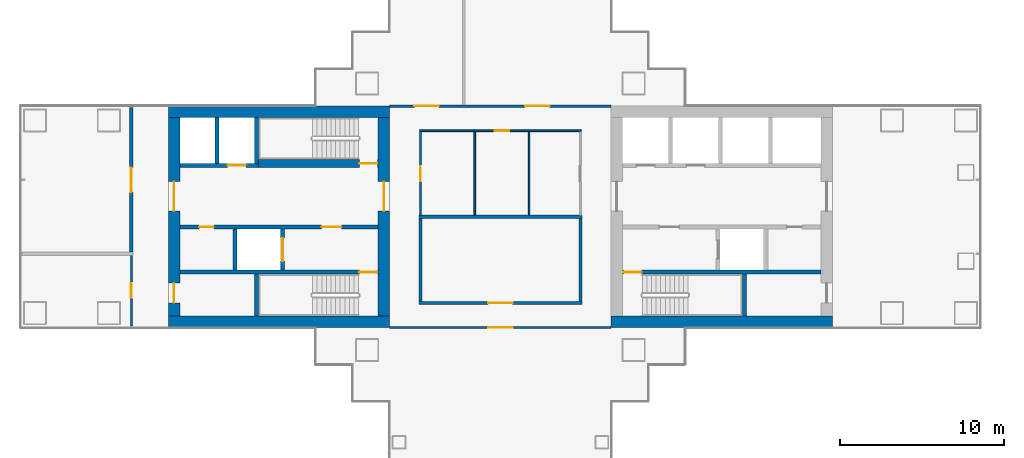
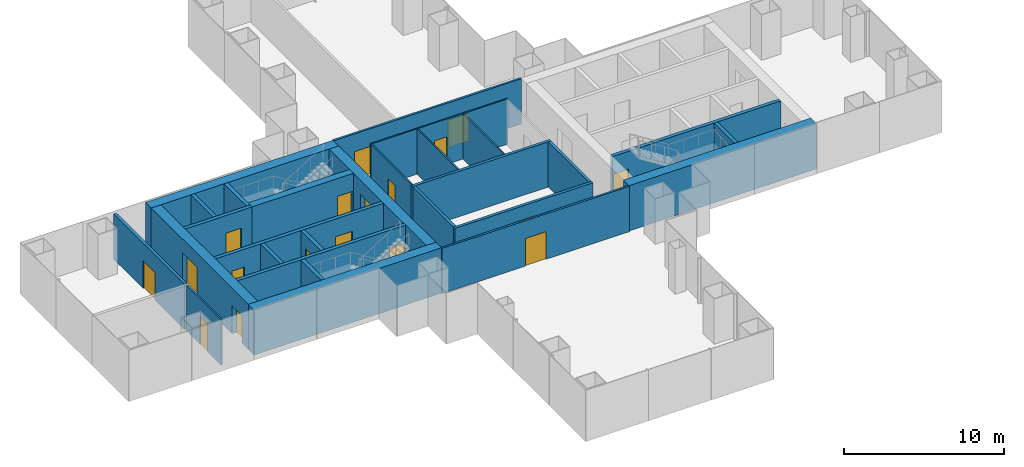
# One storey, part 14 of 22: 28 walls, 18 doors, 18 openings.
"""IFC4 building model written with IfcOpenShell, lengths in metres."""

from ifc_helpers import new_model, si_unit, direction, frame, frame_2d, origin, place, context, subcontext, project, spatial, rectangle, extrude, material, layer, layer_set, type_object, element, fill, save


model = new_model("IFC4")

# Units and contexts
model_context = context("Model", 3, precision=1e-05, world=origin(), true_north=direction((0.0, 1.0)))
body_context = subcontext(model_context, "Body", "Model", "MODEL_VIEW")
ifc_project = project(units=[si_unit("LENGTHUNIT", "METRE"), si_unit("AREAUNIT", "SQUARE_METRE"), si_unit("VOLUMEUNIT", "CUBIC_METRE"), si_unit("PLANEANGLEUNIT", "RADIAN"), si_unit("MASSUNIT", "GRAM", prefix="KILO")], contexts=[model_context])

# Site, building, storey
site_placement = place(None, origin())
site = spatial("IfcSite", under=ifc_project, at=site_placement, CompositionType="ELEMENT")
building_placement = place(site_placement, origin())
building = spatial("IfcBuilding", under=site, at=building_placement, Name="Shamsa Quay Exchange Towers", CompositionType="ELEMENT")
storey_placement = place(building_placement, frame((0.0, 0.0, 73.199951171875)))
storey = spatial("IfcBuildingStorey", under=building, at=storey_placement, Name="L16", CompositionType="ELEMENT", Elevation=73.199951171875)

# Wall, opening, door
ifc_material_1 = material(Name="Double-leaf gypsum board partition with acoustic insulation")
ifc_layer_1 = layer(ifc_material_1, 0.199951171875)
ifc_layer_set_1 = layer_set([ifc_layer_1], Name="Acoustic partition 200 mm EI 60")
wall_type_1 = type_object("IfcWallType", Name="Acoustic partition 200 mm EI 60", PredefinedType="PARTITIONING", material=ifc_layer_set_1)
wall_1_placement = place(storey_placement, frame((-38.72509765625, -5.25, 0.0)))
wall_1 = element("IfcWall", 1, at=wall_1_placement, inside=storey, type_object=wall_type_1, Name="Partition T1-R07-W01", PredefinedType="PARTITIONING", context=body_context, shape_type="SweptSolid", body=[
    extrude(rectangle(XDim=9.9501953125, YDim=0.199951171875, at=frame_2d((4.97509765625, 0.0))), origin(), (0.0, 0.0, 1.0), 3.449951171875),
])
opening_1_placement = place(wall_1_placement, frame((4.22509765625, 0.0, 0.0)))
opening_1 = element("IfcOpeningElement", 2, at=opening_1_placement, cuts=wall_1, Name="Opening T1-R07-D05", PredefinedType="OPENING", context=body_context, shape_type="SweptSolid", body=[
    extrude(rectangle(XDim=1.5, YDim=2.39990234375, at=frame_2d((0.75, 1.199951171875))), frame((0.0, 0.10986328125, 0.0), z_axis=(0.0, -1.0, 0.0), x_axis=(1.0, 0.0, 0.0)), (0.0, 0.0, 1.0), 0.219970703125),
])
ifc_material_2 = material(Name="Timber door leaf in a metal frame", Category="wood")
door_type_1 = type_object("IfcDoorType", Name="Door 1500x2400 FD30S pair", OperationType="NOTDEFINED", PredefinedType="DOOR", material=ifc_material_2)
door_1_placement = place(opening_1_placement, origin())
door_1 = element("IfcDoor", 3, at=door_1_placement, inside=storey, type_object=door_type_1, Name="Door T1-R07-D05", OperationType="DOUBLE_DOOR_SINGLE_SWING", OverallHeight=2.39990234375, OverallWidth=1.5, PredefinedType="DOOR", context=body_context, shape_type="SweptSolid", body=[
    extrude(rectangle(XDim=1.5, YDim=2.39990234375, at=frame_2d((0.75, 1.199951171875))), frame((0.0, 0.02490234375, 0.0), z_axis=(0.0, -1.0, 0.0), x_axis=(1.0, 0.0, 0.0)), (0.0, 0.0, 1.0), 0.050048828125),
])
fill(opening_1, door_1)

# Walls
for number, where, z_axis, x_axis, name in (
    (4, (-28.875, -5.14990234375, 0.0), (0.0, 0.0, 1.0), (0.0, 1.0, 0.0), "Partition T1-R07-W02"),
    (5, (-38.625, -0.10009765625, 0.0), (0.0, 0.0, 1.0), (0.0, -1.0, 0.0), "Partition T1-R07-W03"),
):
    element("IfcWall", number, at=place(storey_placement, frame(where, z_axis=z_axis, x_axis=x_axis)), inside=storey, type_object=wall_type_1, Name=name, PredefinedType="PARTITIONING", context=body_context, shape_type="SweptSolid", body=[
        extrude(rectangle(XDim=5.0498046875, YDim=0.199951171875, at=frame_2d((2.52490234375, 0.0))), origin(), (0.0, 0.0, 1.0), 3.449951171875),
    ])
wall_2_placement = place(storey_placement, frame((-28.77490234375, 0.0, 0.0), z_axis=(0.0, 0.0, 1.0), x_axis=(-1.0, 0.0, 0.0)))
element("IfcWall", 6, at=wall_2_placement, inside=storey, type_object=wall_type_1, Name="Partition T1-R07-W11", PredefinedType="PARTITIONING", context=body_context, shape_type="SweptSolid", body=[
    extrude(rectangle(XDim=9.9501953125, YDim=0.199951171875, at=frame_2d((4.97509765625, 0.0))), origin(), (0.0, 0.0, 1.0), 3.449951171875),
])
ifc_material_3 = material(Name="Concrete C80/95", Category="concrete")
ifc_layer_2 = layer(ifc_material_3, 0.699951171875)
ifc_layer_set_2 = layer_set([ifc_layer_2], Name="CORE WALL 700 C80/95")
wall_type_2 = type_object("IfcWallType", Name="CORE WALL 700 C80/95", PredefinedType="SHEAR", material=ifc_layer_set_2)
wall_3_placement = place(storey_placement, frame((-27.0, -6.39990234375, 0.0)))
element("IfcWall", 7, at=wall_3_placement, inside=storey, type_object=wall_type_2, Name="Core wall T1A-R07-PS", PredefinedType="SHEAR", context=body_context, shape_type="SweptSolid", body=[
    extrude(rectangle(XDim=13.5, YDim=0.699951171875, at=frame_2d((6.75, 0.0))), origin(), (0.0, 0.0, 1.0), 3.449951171875),
])
for number, where, z_axis, x_axis, name in (
    (8, (-40.5, -6.39990234375, 0.0), (0.0, 0.0, 1.0), (-1.0, 0.0, 0.0), "Core wall T1B-R07-PS"),
    (9, (-40.5, 6.39990234375, 0.0), (0.0, 0.0, 1.0), (-1.0, 0.0, 0.0), "Core wall T1B-R07-PN"),
):
    element("IfcWall", number, at=place(storey_placement, frame(where, z_axis=z_axis, x_axis=x_axis)), inside=storey, type_object=wall_type_2, Name=name, PredefinedType="SHEAR", context=body_context, shape_type="SweptSolid", body=[
        extrude(rectangle(XDim=13.5, YDim=0.699951171875, at=frame_2d((6.75, 0.0))), origin(), (0.0, 0.0, 1.0), 3.449951171875),
    ])

# Wall, opening, door
wall_4_placement = place(storey_placement, frame((-40.85009765625, -6.050048828125, 0.0), z_axis=(0.0, 0.0, 1.0), x_axis=(0.0, 1.0, 0.0)))
wall_4 = element("IfcWall", 10, at=wall_4_placement, inside=storey, type_object=wall_type_2, Name="Core wall T1B-R07-PF", PredefinedType="SHEAR", context=body_context, shape_type="SweptSolid", body=[
    extrude(rectangle(XDim=12.10009765625, YDim=0.699951171875, at=frame_2d((6.050048828125, 0.0))), origin(), (0.0, 0.0, 1.0), 3.449951171875),
])
opening_2_placement = place(wall_4_placement, frame((6.39990234375, 0.0, 0.0)))
opening_2 = element("IfcOpeningElement", 11, at=opening_2_placement, cuts=wall_4, Name="Opening T1B-R07-LBD01", PredefinedType="OPENING", context=body_context, shape_type="SweptSolid", body=[
    extrude(rectangle(XDim=1.800048828125, YDim=2.39990234375, at=frame_2d((0.89990234375, 1.199951171875))), frame((0.0, 0.35986328125, 0.0), z_axis=(0.0, -1.0, 0.0), x_axis=(1.0, 0.0, 0.0)), (0.0, 0.0, 1.0), 0.719970703125),
])
ifc_material_4 = material(Name="Steel, fire rated", Category="steel")
door_type_2 = type_object("IfcDoorType", Name="LIFT LOBBY DOOR PAIR 1800", OperationType="DOUBLE_DOOR_SINGLE_SWING", PredefinedType="DOOR", material=ifc_material_4)
door_2_placement = place(opening_2_placement, origin())
door_2 = element("IfcDoor", 12, at=door_2_placement, inside=storey, type_object=door_type_2, Name="T1B-R07-LBD01", OperationType="DOUBLE_DOOR_SINGLE_SWING", OverallHeight=2.39990234375, OverallWidth=1.800048828125, PredefinedType="DOOR", context=body_context, shape_type="SweptSolid", body=[
    extrude(rectangle(XDim=1.800048828125, YDim=2.39990234375, at=frame_2d((0.89990234375, 1.199951171875))), frame((0.0, 0.02490234375, 0.0), z_axis=(0.0, -1.0, 0.0), x_axis=(1.0, 0.0, 0.0)), (0.0, 0.0, 1.0), 0.050048828125),
])
fill(opening_2, door_2)

# Wall, openings, doors
wall_5_placement = place(storey_placement, frame((-53.64990234375, -6.050048828125, 0.0), z_axis=(0.0, 0.0, 1.0), x_axis=(0.0, 1.0, 0.0)))
wall_5 = element("IfcWall", 13, at=wall_5_placement, inside=storey, type_object=wall_type_2, Name="Core wall T1B-R07-PB", PredefinedType="SHEAR", context=body_context, shape_type="SweptSolid", body=[
    extrude(rectangle(XDim=12.10009765625, YDim=0.699951171875, at=frame_2d((6.050048828125, 0.0))), origin(), (0.0, 0.0, 1.0), 3.449951171875),
])
opening_3_placement = place(wall_5_placement, frame((0.800048828125, 0.0, 0.0)))
opening_3 = element("IfcOpeningElement", 14, at=opening_3_placement, cuts=wall_5, Name="Opening T1B-R07-RD02", PredefinedType="OPENING", context=body_context, shape_type="SweptSolid", body=[
    extrude(rectangle(XDim=1.199951171875, YDim=2.10009765625, at=frame_2d((0.60009765625, 1.050048828125))), frame((0.0, 0.35986328125, 0.0), z_axis=(0.0, -1.0, 0.0), x_axis=(1.0, 0.0, 0.0)), (0.0, 0.0, 1.0), 0.719970703125),
])
opening_4_placement = place(wall_5_placement, frame((6.39990234375, 0.0, 0.0)))
opening_4 = element("IfcOpeningElement", 15, at=opening_4_placement, cuts=wall_5, Name="Opening T1B-R07-LBD03", PredefinedType="OPENING", context=body_context, shape_type="SweptSolid", body=[
    extrude(rectangle(XDim=1.800048828125, YDim=2.39990234375, at=frame_2d((0.89990234375, 1.199951171875))), frame((0.0, 0.35986328125, 0.0), z_axis=(0.0, -1.0, 0.0), x_axis=(1.0, 0.0, 0.0)), (0.0, 0.0, 1.0), 0.719970703125),
])
door_3_placement = place(opening_4_placement, origin())
door_3 = element("IfcDoor", 16, at=door_3_placement, inside=storey, type_object=door_type_2, Name="T1B-R07-LBD03", OperationType="DOUBLE_DOOR_SINGLE_SWING", OverallHeight=2.39990234375, OverallWidth=1.800048828125, PredefinedType="DOOR", context=body_context, shape_type="SweptSolid", body=[
    extrude(rectangle(XDim=1.800048828125, YDim=2.39990234375, at=frame_2d((0.89990234375, 1.199951171875))), frame((0.0, 0.02490234375, 0.0), z_axis=(0.0, -1.0, 0.0), x_axis=(1.0, 0.0, 0.0)), (0.0, 0.0, 1.0), 0.050048828125),
])
fill(opening_4, door_3)
door_type_3 = type_object("IfcDoorType", Name="RISER ACCESS DOOR 1200", OperationType="SINGLE_SWING_LEFT", PredefinedType="DOOR", material=ifc_material_4)
door_4_placement = place(opening_3_placement, origin())
door_4 = element("IfcDoor", 17, at=door_4_placement, inside=storey, type_object=door_type_3, Name="T1B-R07-RD02", OperationType="SINGLE_SWING_LEFT", OverallHeight=2.10009765625, OverallWidth=1.199951171875, PredefinedType="DOOR", context=body_context, shape_type="SweptSolid", body=[
    extrude(rectangle(XDim=1.199951171875, YDim=2.10009765625, at=frame_2d((0.60009765625, 1.050048828125))), frame((0.0, 0.02490234375, 0.0), z_axis=(0.0, -1.0, 0.0), x_axis=(1.0, 0.0, 0.0)), (0.0, 0.0, 1.0), 0.050048828125),
])
fill(opening_3, door_4)

# Wall, opening, door
ifc_material_5 = material(Name="Laminated fire-resisting glass in a metal frame", Category="glass")
ifc_layer_3 = layer(ifc_material_5, 0.125)
ifc_layer_set_3 = layer_set([ifc_layer_3], Name="Glazed partition 125 mm EI 60")
wall_type_3 = type_object("IfcWallType", Name="Glazed partition 125 mm EI 60", PredefinedType="PARTITIONING", material=ifc_layer_set_3)
wall_6_placement = place(storey_placement, frame((-56.25, -6.655029296875, 0.0), z_axis=(0.0, 0.0, 1.0), x_axis=(0.0, 1.0, 0.0)))
wall_6 = element("IfcWall", 18, at=wall_6_placement, inside=storey, type_object=wall_type_3, Name="Partition T1-R07-W09", PredefinedType="PARTITIONING", context=body_context, shape_type="SweptSolid", body=[
    extrude(rectangle(XDim=4.304931640625, YDim=0.125, at=frame_2d((2.15234375, 0.0))), origin(), (0.0, 0.0, 1.0), 3.449951171875),
])
opening_5_placement = place(wall_6_placement, frame((1.705078125, 0.0, 0.0)))
opening_5 = element("IfcOpeningElement", 19, at=opening_5_placement, cuts=wall_6, Name="Opening T1-R07-D01", PredefinedType="OPENING", context=body_context, shape_type="SweptSolid", body=[
    extrude(rectangle(XDim=0.89990234375, YDim=2.10009765625, at=frame_2d((0.449951171875, 1.050048828125))), frame((0.0, 0.072509765625, 0.0), z_axis=(0.0, -1.0, 0.0), x_axis=(1.0, 0.0, 0.0)), (0.0, 0.0, 1.0), 0.14501953125),
])
door_type_4 = type_object("IfcDoorType", Name="Door 900x2100 FD30S", OperationType="NOTDEFINED", PredefinedType="DOOR", material=ifc_material_2)
door_5_placement = place(opening_5_placement, origin())
door_5 = element("IfcDoor", 20, at=door_5_placement, inside=storey, type_object=door_type_4, Name="Door T1-R07-D01", OperationType="SINGLE_SWING_RIGHT", OverallHeight=2.10009765625, OverallWidth=0.89990234375, PredefinedType="DOOR", context=body_context, shape_type="SweptSolid", body=[
    extrude(rectangle(XDim=0.89990234375, YDim=2.10009765625, at=frame_2d((0.449951171875, 1.050048828125))), frame((0.0, 0.02490234375, 0.0), z_axis=(0.0, -1.0, 0.0), x_axis=(1.0, 0.0, 0.0)), (0.0, 0.0, 1.0), 0.050048828125),
])
fill(opening_5, door_5)

ifc_material_6 = material(Name="Gypsum board partition on metal studs")
ifc_layer_4 = layer(ifc_material_6, 0.10009765625)
ifc_layer_set_4 = layer_set([ifc_layer_4], Name="Partition 100 mm NOT RATED")
wall_type_4 = type_object("IfcWallType", Name="Partition 100 mm NOT RATED", PredefinedType="PARTITIONING", material=ifc_layer_set_4)
wall_7_placement = place(storey_placement, frame((-28.824951171875, 5.25, 0.0), z_axis=(0.0, 0.0, 1.0), x_axis=(-1.0, 0.0, 0.0)))
wall_7 = element("IfcWall", 21, at=wall_7_placement, inside=storey, type_object=wall_type_4, Name="Partition T1-R07-W04", PredefinedType="PARTITIONING", context=body_context, shape_type="SweptSolid", body=[
    extrude(rectangle(XDim=9.85009765625, YDim=0.10009765625, at=frame_2d((4.925048828125, 0.0))), origin(), (0.0, 0.0, 1.0), 3.449951171875),
])
opening_6_placement = place(wall_7_placement, frame((4.381103515625, 0.0, 0.0)))
opening_6 = element("IfcOpeningElement", 22, at=opening_6_placement, cuts=wall_7, Name="Opening T1-R07-D08", PredefinedType="OPENING", context=body_context, shape_type="SweptSolid", body=[
    extrude(rectangle(XDim=0.89990234375, YDim=2.10009765625, at=frame_2d((0.449951171875, 1.050048828125))), frame((0.0, 0.06005859375, 0.0), z_axis=(0.0, -1.0, 0.0), x_axis=(1.0, 0.0, 0.0)), (0.0, 0.0, 1.0), 0.1201171875),
])
door_type_5 = type_object("IfcDoorType", Name="Door 900x2100 NOT RATED", OperationType="NOTDEFINED", PredefinedType="DOOR", material=ifc_material_2)
door_6_placement = place(opening_6_placement, origin())
door_6 = element("IfcDoor", 23, at=door_6_placement, inside=storey, type_object=door_type_5, Name="Door T1-R07-D08", OperationType="SINGLE_SWING_RIGHT", OverallHeight=2.10009765625, OverallWidth=0.89990234375, PredefinedType="DOOR", context=body_context, shape_type="SweptSolid", body=[
    extrude(rectangle(XDim=0.89990234375, YDim=2.10009765625, at=frame_2d((0.449951171875, 1.050048828125))), frame((0.0, 0.02490234375, 0.0), z_axis=(0.0, -1.0, 0.0), x_axis=(1.0, 0.0, 0.0)), (0.0, 0.0, 1.0), 0.050048828125),
])
fill(opening_6, door_6)

wall_8_placement = place(storey_placement, frame((-38.625, 5.199951171875, 0.0), z_axis=(0.0, 0.0, 1.0), x_axis=(0.0, -1.0, 0.0)))
wall_8 = element("IfcWall", 24, at=wall_8_placement, inside=storey, type_object=wall_type_4, Name="Partition T1-R07-W05", PredefinedType="PARTITIONING", context=body_context, shape_type="SweptSolid", body=[
    extrude(rectangle(XDim=5.099853515625, YDim=0.10009765625, at=frame_2d((2.5498046875, 0.0))), origin(), (0.0, 0.0, 1.0), 3.449951171875),
])
opening_7_placement = place(wall_8_placement, frame((2.125, 0.0, 0.0)))
opening_7 = element("IfcOpeningElement", 25, at=opening_7_placement, cuts=wall_8, Name="Opening T1-R07-D06", PredefinedType="OPENING", context=body_context, shape_type="SweptSolid", body=[
    extrude(rectangle(XDim=0.89990234375, YDim=2.10009765625, at=frame_2d((0.449951171875, 1.050048828125))), frame((0.0, 0.06005859375, 0.0), z_axis=(0.0, -1.0, 0.0), x_axis=(1.0, 0.0, 0.0)), (0.0, 0.0, 1.0), 0.1201171875),
])
door_7_placement = place(opening_7_placement, origin())
door_7 = element("IfcDoor", 26, at=door_7_placement, inside=storey, type_object=door_type_5, Name="Door T1-R07-D06", OperationType="SINGLE_SWING_LEFT", OverallHeight=2.10009765625, OverallWidth=0.89990234375, PredefinedType="DOOR", context=body_context, shape_type="SweptSolid", body=[
    extrude(rectangle(XDim=0.89990234375, YDim=2.10009765625, at=frame_2d((0.449951171875, 1.050048828125))), frame((0.0, 0.02490234375, 0.0), z_axis=(0.0, -1.0, 0.0), x_axis=(1.0, 0.0, 0.0)), (0.0, 0.0, 1.0), 0.050048828125),
])
fill(opening_7, door_7)

# Walls
for number, where, z_axis, x_axis, name in (
    (27, (-35.3125, 0.10009765625, 0.0), (0.0, 0.0, 1.0), (0.0, 1.0, 0.0), "Partition T1-R07-W12"),
    (28, (-32.0, 0.10009765625, 0.0), (0.0, 0.0, 1.0), (0.0, 1.0, 0.0), "Partition T1-R07-W13"),
):
    element("IfcWall", number, at=place(storey_placement, frame(where, z_axis=z_axis, x_axis=x_axis)), inside=storey, type_object=wall_type_4, Name=name, PredefinedType="PARTITIONING", context=body_context, shape_type="SweptSolid", body=[
        extrude(rectangle(XDim=5.099853515625, YDim=0.10009765625, at=frame_2d((2.5498046875, 0.0))), origin(), (0.0, 0.0, 1.0), 3.449951171875),
    ])

# Wall, openings, doors
ifc_layer_5 = layer(ifc_material_6, 0.14990234375)
ifc_layer_set_5 = layer_set([ifc_layer_5], Name="Partition 150 mm EI 60")
wall_type_5 = type_object("IfcWallType", Name="Partition 150 mm EI 60", PredefinedType="PARTITIONING", material=ifc_layer_set_5)
wall_9_placement = place(storey_placement, frame((-40.5, 6.75, 0.0)))
wall_9 = element("IfcWall", 29, at=wall_9_placement, inside=storey, type_object=wall_type_5, Name="Partition T1-R07-W07", PredefinedType="PARTITIONING", context=body_context, shape_type="SweptSolid", body=[
    extrude(rectangle(XDim=13.5, YDim=0.14990234375, at=frame_2d((6.75, 0.0))), origin(), (0.0, 0.0, 1.0), 3.449951171875),
])
opening_8_placement = place(wall_9_placement, frame((1.5, 0.0, 0.0)))
opening_8 = element("IfcOpeningElement", 30, at=opening_8_placement, cuts=wall_9, Name="Opening T1-R07-D03", PredefinedType="OPENING", context=body_context, shape_type="SweptSolid", body=[
    extrude(rectangle(XDim=1.5, YDim=2.10009765625, at=frame_2d((0.75, 1.050048828125))), frame((0.0, 0.0849609375, 0.0), z_axis=(0.0, -1.0, 0.0), x_axis=(1.0, 0.0, 0.0)), (0.0, 0.0, 1.0), 0.169921875),
])
opening_9_placement = place(wall_9_placement, frame((8.25, 0.0, 0.0)))
opening_9 = element("IfcOpeningElement", 31, at=opening_9_placement, cuts=wall_9, Name="Opening T1-R07-D04", PredefinedType="OPENING", context=body_context, shape_type="SweptSolid", body=[
    extrude(rectangle(XDim=1.5, YDim=2.10009765625, at=frame_2d((0.75, 1.050048828125))), frame((0.0, 0.0849609375, 0.0), z_axis=(0.0, -1.0, 0.0), x_axis=(1.0, 0.0, 0.0)), (0.0, 0.0, 1.0), 0.169921875),
])
door_type_6 = type_object("IfcDoorType", Name="Door 1500x2100 FD30S pair", OperationType="NOTDEFINED", PredefinedType="DOOR", material=ifc_material_2)
door_8_placement = place(opening_8_placement, origin())
door_8 = element("IfcDoor", 32, at=door_8_placement, inside=storey, type_object=door_type_6, Name="Door T1-R07-D03", OperationType="DOUBLE_DOOR_SINGLE_SWING", OverallHeight=2.10009765625, OverallWidth=1.5, PredefinedType="DOOR", context=body_context, shape_type="SweptSolid", body=[
    extrude(rectangle(XDim=1.5, YDim=2.10009765625, at=frame_2d((0.75, 1.050048828125))), frame((0.0, 0.02490234375, 0.0), z_axis=(0.0, -1.0, 0.0), x_axis=(1.0, 0.0, 0.0)), (0.0, 0.0, 1.0), 0.050048828125),
])
fill(opening_8, door_8)
door_9_placement = place(opening_9_placement, origin())
door_9 = element("IfcDoor", 33, at=door_9_placement, inside=storey, type_object=door_type_6, Name="Door T1-R07-D04", OperationType="DOUBLE_DOOR_SINGLE_SWING", OverallHeight=2.10009765625, OverallWidth=1.5, PredefinedType="DOOR", context=body_context, shape_type="SweptSolid", body=[
    extrude(rectangle(XDim=1.5, YDim=2.10009765625, at=frame_2d((0.75, 1.050048828125))), frame((0.0, 0.02490234375, 0.0), z_axis=(0.0, -1.0, 0.0), x_axis=(1.0, 0.0, 0.0)), (0.0, 0.0, 1.0), 0.050048828125),
])
fill(opening_9, door_9)

# Wall, opening, door
wall_10_placement = place(storey_placement, frame((-27.0, -6.75, 0.0), z_axis=(0.0, 0.0, 1.0), x_axis=(-1.0, 0.0, 0.0)))
wall_10 = element("IfcWall", 34, at=wall_10_placement, inside=storey, type_object=wall_type_5, Name="Partition T1-R07-W08", PredefinedType="PARTITIONING", context=body_context, shape_type="SweptSolid", body=[
    extrude(rectangle(XDim=13.5, YDim=0.14990234375, at=frame_2d((6.75, 0.0))), origin(), (0.0, 0.0, 1.0), 3.449951171875),
])
opening_10_placement = place(wall_10_placement, frame((6.0, 0.0, 0.0)))
opening_10 = element("IfcOpeningElement", 35, at=opening_10_placement, cuts=wall_10, Name="Opening T1-R07-D09", PredefinedType="OPENING", context=body_context, shape_type="SweptSolid", body=[
    extrude(rectangle(XDim=1.5, YDim=2.10009765625, at=frame_2d((0.75, 1.050048828125))), frame((0.0, 0.0849609375, 0.0), z_axis=(0.0, -1.0, 0.0), x_axis=(1.0, 0.0, 0.0)), (0.0, 0.0, 1.0), 0.169921875),
])
door_10_placement = place(opening_10_placement, origin())
door_10 = element("IfcDoor", 36, at=door_10_placement, inside=storey, type_object=door_type_6, Name="Door T1-R07-D09", OperationType="DOUBLE_DOOR_SINGLE_SWING", OverallHeight=2.10009765625, OverallWidth=1.5, PredefinedType="DOOR", context=body_context, shape_type="SweptSolid", body=[
    extrude(rectangle(XDim=1.5, YDim=2.10009765625, at=frame_2d((0.75, 1.050048828125))), frame((0.0, 0.02490234375, 0.0), z_axis=(0.0, -1.0, 0.0), x_axis=(1.0, 0.0, 0.0)), (0.0, 0.0, 1.0), 0.050048828125),
])
fill(opening_10, door_10)

ifc_layer_6 = layer(ifc_material_6, 0.199951171875)
ifc_layer_set_6 = layer_set([ifc_layer_6], Name="Partition 200 mm EI 90")
wall_type_6 = type_object("IfcWallType", Name="Partition 200 mm EI 90", PredefinedType="PARTITIONING", material=ifc_layer_set_6)
wall_11_placement = place(storey_placement, frame((-56.25, -2.14990234375, 0.0), z_axis=(0.0, 0.0, 1.0), x_axis=(0.0, 1.0, 0.0)))
wall_11 = element("IfcWall", 37, at=wall_11_placement, inside=storey, type_object=wall_type_6, Name="Partition T1-R07-W10", PredefinedType="PARTITIONING", context=body_context, shape_type="SweptSolid", body=[
    extrude(rectangle(XDim=8.804931640625, YDim=0.199951171875, at=frame_2d((4.40234375, 0.0))), origin(), (0.0, 0.0, 1.0), 3.449951171875),
])
opening_11_placement = place(wall_11_placement, frame((3.64990234375, 0.0, 0.0)))
opening_11 = element("IfcOpeningElement", 38, at=opening_11_placement, cuts=wall_11, Name="Opening T1-R07-D02", PredefinedType="OPENING", context=body_context, shape_type="SweptSolid", body=[
    extrude(rectangle(XDim=1.5, YDim=2.10009765625, at=frame_2d((0.75, 1.050048828125))), frame((0.0, 0.10986328125, 0.0), z_axis=(0.0, -1.0, 0.0), x_axis=(1.0, 0.0, 0.0)), (0.0, 0.0, 1.0), 0.219970703125),
])
door_11_placement = place(opening_11_placement, origin())
door_11 = element("IfcDoor", 39, at=door_11_placement, inside=storey, type_object=door_type_6, Name="Door T1-R07-D02", OperationType="DOUBLE_DOOR_SINGLE_SWING", OverallHeight=2.10009765625, OverallWidth=1.5, PredefinedType="DOOR", context=body_context, shape_type="SweptSolid", body=[
    extrude(rectangle(XDim=1.5, YDim=2.10009765625, at=frame_2d((0.75, 1.050048828125))), frame((0.0, 0.02490234375, 0.0), z_axis=(0.0, -1.0, 0.0), x_axis=(1.0, 0.0, 0.0)), (0.0, 0.0, 1.0), 0.050048828125),
])
fill(opening_11, door_11)

ifc_material_7 = material(Name="Concrete C50/60", Category="concrete")
ifc_layer_7 = layer(ifc_material_7, 0.25)
ifc_layer_set_7 = layer_set([ifc_layer_7], Name="SHAFT WALL 250 C50/60")
wall_type_7 = type_object("IfcWallType", Name="SHAFT WALL 250 C50/60", PredefinedType="SHEAR", material=ifc_layer_set_7)
wall_12_placement = place(storey_placement, frame((-14.199951171875, -3.375, 0.0), z_axis=(0.0, 0.0, 1.0), x_axis=(-1.0, 0.0, 0.0)))
wall_12 = element("IfcWall", 40, at=wall_12_placement, inside=storey, type_object=wall_type_7, Name="Shaft wall T1A-R07-STL", PredefinedType="SHEAR", context=body_context, shape_type="SweptSolid", body=[
    extrude(rectangle(XDim=12.10009765625, YDim=0.25, at=frame_2d((6.050048828125, 0.0))), origin(), (0.0, 0.0, 1.0), 3.449951171875),
])
opening_12_placement = place(wall_12_placement, frame((10.949951171875, 0.0, 0.0)))
opening_12 = element("IfcOpeningElement", 41, at=opening_12_placement, cuts=wall_12, Name="Opening T1A-R07-SD04", PredefinedType="OPENING", context=body_context, shape_type="SweptSolid", body=[
    extrude(rectangle(XDim=1.10009765625, YDim=2.10009765625, at=frame_2d((0.550048828125, 1.050048828125))), frame((0.0, 0.135009765625, 0.0), z_axis=(0.0, -1.0, 0.0), x_axis=(1.0, 0.0, 0.0)), (0.0, 0.0, 1.0), 0.27001953125),
])
door_type_7 = type_object("IfcDoorType", Name="STAIR DOOR 1100", OperationType="SINGLE_SWING_LEFT", PredefinedType="DOOR", material=ifc_material_4)
door_12_placement = place(opening_12_placement, origin())
door_12 = element("IfcDoor", 42, at=door_12_placement, inside=storey, type_object=door_type_7, Name="T1A-R07-SD04", OperationType="SINGLE_SWING_RIGHT", OverallHeight=2.10009765625, OverallWidth=1.10009765625, PredefinedType="DOOR", context=body_context, shape_type="SweptSolid", body=[
    extrude(rectangle(XDim=1.10009765625, YDim=2.10009765625, at=frame_2d((0.550048828125, 1.050048828125))), frame((0.0, 0.02490234375, 0.0), z_axis=(0.0, -1.0, 0.0), x_axis=(1.0, 0.0, 0.0)), (0.0, 0.0, 1.0), 0.050048828125),
])
fill(opening_12, door_12)

# Wall
wall_13_placement = place(storey_placement, frame((-18.875, -6.050048828125, 0.0), z_axis=(0.0, 0.0, 1.0), x_axis=(0.0, 1.0, 0.0)))
element("IfcWall", 43, at=wall_13_placement, inside=storey, type_object=wall_type_7, Name="Shaft wall T1A-R07-STF", PredefinedType="SHEAR", context=body_context, shape_type="SweptSolid", body=[
    extrude(rectangle(XDim=2.550048828125, YDim=0.25, at=frame_2d((1.27490234375, 0.0))), origin(), (0.0, 0.0, 1.0), 3.449951171875),
])

# Wall, opening, door
wall_14_placement = place(storey_placement, frame((-41.199951171875, -3.375, 0.0), z_axis=(0.0, 0.0, 1.0), x_axis=(-1.0, 0.0, 0.0)))
wall_14 = element("IfcWall", 44, at=wall_14_placement, inside=storey, type_object=wall_type_7, Name="Shaft wall T1B-R07-STL", PredefinedType="SHEAR", context=body_context, shape_type="SweptSolid", body=[
    extrude(rectangle(XDim=12.10009765625, YDim=0.25, at=frame_2d((6.050048828125, 0.0))), origin(), (0.0, 0.0, 1.0), 3.449951171875),
])
opening_13_placement = place(wall_14_placement, frame((0.050048828125, 0.0, 0.0)))
opening_13 = element("IfcOpeningElement", 45, at=opening_13_placement, cuts=wall_14, Name="Opening T1B-R07-SD04", PredefinedType="OPENING", context=body_context, shape_type="SweptSolid", body=[
    extrude(rectangle(XDim=1.10009765625, YDim=2.10009765625, at=frame_2d((0.550048828125, 1.050048828125))), frame((0.0, 0.135009765625, 0.0), z_axis=(0.0, -1.0, 0.0), x_axis=(1.0, 0.0, 0.0)), (0.0, 0.0, 1.0), 0.27001953125),
])
door_13_placement = place(opening_13_placement, origin())
door_13 = element("IfcDoor", 46, at=door_13_placement, inside=storey, type_object=door_type_7, Name="T1B-R07-SD04", OperationType="SINGLE_SWING_LEFT", OverallHeight=2.10009765625, OverallWidth=1.10009765625, PredefinedType="DOOR", context=body_context, shape_type="SweptSolid", body=[
    extrude(rectangle(XDim=1.10009765625, YDim=2.10009765625, at=frame_2d((0.550048828125, 1.050048828125))), frame((0.0, 0.02490234375, 0.0), z_axis=(0.0, -1.0, 0.0), x_axis=(1.0, 0.0, 0.0)), (0.0, 0.0, 1.0), 0.050048828125),
])
fill(opening_13, door_13)

# Wall
wall_15_placement = place(storey_placement, frame((-48.625, -6.050048828125, 0.0), z_axis=(0.0, 0.0, 1.0), x_axis=(0.0, 1.0, 0.0)))
element("IfcWall", 47, at=wall_15_placement, inside=storey, type_object=wall_type_7, Name="Shaft wall T1B-R07-STF", PredefinedType="SHEAR", context=body_context, shape_type="SweptSolid", body=[
    extrude(rectangle(XDim=2.550048828125, YDim=0.25, at=frame_2d((1.27490234375, 0.0))), origin(), (0.0, 0.0, 1.0), 3.449951171875),
])

# Wall, openings, doors
wall_16_placement = place(storey_placement, frame((-41.199951171875, -0.625, 0.0), z_axis=(0.0, 0.0, 1.0), x_axis=(-1.0, 0.0, 0.0)))
wall_16 = element("IfcWall", 48, at=wall_16_placement, inside=storey, type_object=wall_type_7, Name="Shaft wall T1B-R07-B", PredefinedType="SHEAR", context=body_context, shape_type="SweptSolid", body=[
    extrude(rectangle(XDim=12.10009765625, YDim=0.25, at=frame_2d((6.050048828125, 0.0))), origin(), (0.0, 0.0, 1.0), 3.449951171875),
])
opening_14_placement = place(wall_16_placement, frame((2.25, 0.0, 0.0)))
opening_14 = element("IfcOpeningElement", 49, at=opening_14_placement, cuts=wall_16, Name="Opening T1B-R07-FD05", PredefinedType="OPENING", context=body_context, shape_type="SweptSolid", body=[
    extrude(rectangle(XDim=1.199951171875, YDim=2.10009765625, at=frame_2d((0.60009765625, 1.050048828125))), frame((0.0, 0.135009765625, 0.0), z_axis=(0.0, -1.0, 0.0), x_axis=(1.0, 0.0, 0.0)), (0.0, 0.0, 1.0), 0.27001953125),
])
opening_15_placement = place(wall_16_placement, frame((10.02490234375, 0.0, 0.0)))
opening_15 = element("IfcOpeningElement", 50, at=opening_15_placement, cuts=wall_16, Name="Opening T1B-R07-SV06", PredefinedType="OPENING", context=body_context, shape_type="SweptSolid", body=[
    extrude(rectangle(XDim=0.89990234375, YDim=2.10009765625, at=frame_2d((0.449951171875, 1.050048828125))), frame((0.0, 0.135009765625, 0.0), z_axis=(0.0, -1.0, 0.0), x_axis=(1.0, 0.0, 0.0)), (0.0, 0.0, 1.0), 0.27001953125),
])
door_type_8 = type_object("IfcDoorType", Name="FIRE SERVICE LOBBY DOOR 1200", OperationType="SINGLE_SWING_LEFT", PredefinedType="DOOR", material=ifc_material_4)
door_14_placement = place(opening_14_placement, origin())
door_14 = element("IfcDoor", 51, at=door_14_placement, inside=storey, type_object=door_type_8, Name="T1B-R07-FD05", OperationType="SINGLE_SWING_LEFT", OverallHeight=2.10009765625, OverallWidth=1.199951171875, PredefinedType="DOOR", context=body_context, shape_type="SweptSolid", body=[
    extrude(rectangle(XDim=1.199951171875, YDim=2.10009765625, at=frame_2d((0.60009765625, 1.050048828125))), frame((0.0, 0.02490234375, 0.0), z_axis=(0.0, -1.0, 0.0), x_axis=(1.0, 0.0, 0.0)), (0.0, 0.0, 1.0), 0.050048828125),
])
fill(opening_14, door_14)
door_type_9 = type_object("IfcDoorType", Name="SERVICE ROOM DOOR 900", OperationType="SINGLE_SWING_LEFT", PredefinedType="DOOR", material=ifc_material_4)
door_15_placement = place(opening_15_placement, origin())
door_15 = element("IfcDoor", 52, at=door_15_placement, inside=storey, type_object=door_type_9, Name="T1B-R07-SV06", OperationType="SINGLE_SWING_RIGHT", OverallHeight=2.10009765625, OverallWidth=0.89990234375, PredefinedType="DOOR", context=body_context, shape_type="SweptSolid", body=[
    extrude(rectangle(XDim=0.89990234375, YDim=2.10009765625, at=frame_2d((0.449951171875, 1.050048828125))), frame((0.0, 0.02490234375, 0.0), z_axis=(0.0, -1.0, 0.0), x_axis=(1.0, 0.0, 0.0)), (0.0, 0.0, 1.0), 0.050048828125),
])
fill(opening_15, door_15)

# Wall, opening, door
wall_17_placement = place(storey_placement, frame((-47.02490234375, -3.25, 0.0), z_axis=(0.0, 0.0, 1.0), x_axis=(0.0, 1.0, 0.0)))
wall_17 = element("IfcWall", 53, at=wall_17_placement, inside=storey, type_object=wall_type_7, Name="Shaft wall T1B-R07-FFF", PredefinedType="SHEAR", context=body_context, shape_type="SweptSolid", body=[
    extrude(rectangle(XDim=2.5, YDim=0.25, at=frame_2d((1.25, 0.0))), origin(), (0.0, 0.0, 1.0), 3.449951171875),
])
opening_16_placement = place(wall_17_placement, frame((0.550048828125, 0.0, 0.0)))
opening_16 = element("IfcOpeningElement", 54, at=opening_16_placement, cuts=wall_17, Name="Opening T1B-R07-LDG07", PredefinedType="OPENING", context=body_context, shape_type="SweptSolid", body=[
    extrude(rectangle(XDim=1.39990234375, YDim=2.39990234375, at=frame_2d((0.699951171875, 1.199951171875))), frame((0.0, 0.135009765625, 0.0), z_axis=(0.0, -1.0, 0.0), x_axis=(1.0, 0.0, 0.0)), (0.0, 0.0, 1.0), 0.27001953125),
])
door_type_10 = type_object("IfcDoorType", Name="GOODS LIFT LANDING DOOR 1400", OperationType="SLIDING_TO_LEFT", PredefinedType="DOOR", material=ifc_material_4)
door_16_placement = place(opening_16_placement, origin())
door_16 = element("IfcDoor", 55, at=door_16_placement, inside=storey, type_object=door_type_10, Name="T1B-R07-LDG07", OperationType="SLIDING_TO_LEFT", OverallHeight=2.39990234375, OverallWidth=1.39990234375, PredefinedType="DOOR", context=body_context, shape_type="SweptSolid", body=[
    extrude(rectangle(XDim=1.39990234375, YDim=2.39990234375, at=frame_2d((0.699951171875, 1.199951171875))), frame((0.0, 0.02490234375, 0.0), z_axis=(0.0, -1.0, 0.0), x_axis=(1.0, 0.0, 0.0)), (0.0, 0.0, 1.0), 0.050048828125),
])
fill(opening_16, door_16)

# Wall
wall_18_placement = place(storey_placement, frame((-49.925048828125, -3.25, 0.0), z_axis=(0.0, 0.0, 1.0), x_axis=(0.0, 1.0, 0.0)))
element("IfcWall", 56, at=wall_18_placement, inside=storey, type_object=wall_type_7, Name="Shaft wall T1B-R07-FFB", PredefinedType="SHEAR", context=body_context, shape_type="SweptSolid", body=[
    extrude(rectangle(XDim=2.5, YDim=0.25, at=frame_2d((1.25, 0.0))), origin(), (0.0, 0.0, 1.0), 3.449951171875),
])

# Wall, opening, door
wall_19_placement = place(storey_placement, frame((-48.5, 3.125, 0.0), z_axis=(0.0, 0.0, 1.0), x_axis=(-1.0, 0.0, 0.0)))
wall_19 = element("IfcWall", 57, at=wall_19_placement, inside=storey, type_object=wall_type_7, Name="Shaft wall T1B-R07-N2", PredefinedType="SHEAR", context=body_context, shape_type="SweptSolid", body=[
    extrude(rectangle(XDim=4.800048828125, YDim=0.25, at=frame_2d((2.39990234375, 0.0))), origin(), (0.0, 0.0, 1.0), 3.449951171875),
])
opening_17_placement = place(wall_19_placement, frame((0.77490234375, 0.0, 0.0)))
opening_17 = element("IfcOpeningElement", 58, at=opening_17_placement, cuts=wall_19, Name="Opening T1B-R07-LD09", PredefinedType="OPENING", context=body_context, shape_type="SweptSolid", body=[
    extrude(rectangle(XDim=1.10009765625, YDim=2.10009765625, at=frame_2d((0.550048828125, 1.050048828125))), frame((0.0, 0.135009765625, 0.0), z_axis=(0.0, -1.0, 0.0), x_axis=(1.0, 0.0, 0.0)), (0.0, 0.0, 1.0), 0.27001953125),
])
door_type_11 = type_object("IfcDoorType", Name="LANDING DOOR 1100", OperationType="SLIDING_TO_LEFT", PredefinedType="DOOR", material=ifc_material_4)
door_17_placement = place(opening_17_placement, origin())
door_17 = element("IfcDoor", 59, at=door_17_placement, inside=storey, type_object=door_type_11, Name="T1B-R07-LD09", OperationType="SLIDING_TO_LEFT", OverallHeight=2.10009765625, OverallWidth=1.10009765625, PredefinedType="DOOR", context=body_context, shape_type="SweptSolid", body=[
    extrude(rectangle(XDim=1.10009765625, YDim=2.10009765625, at=frame_2d((0.550048828125, 1.050048828125))), frame((0.0, 0.02490234375, 0.0), z_axis=(0.0, -1.0, 0.0), x_axis=(1.0, 0.0, 0.0)), (0.0, 0.0, 1.0), 0.050048828125),
])
fill(opening_17, door_17)

# Walls
for number, where, z_axis, x_axis, name in (
    (60, (-48.625, 3.25, 0.0), (0.0, 0.0, 1.0), (0.0, 1.0, 0.0), "Shaft wall T1B-R07-STF2"),
    (61, (-51.02490234375, 3.25, 0.0), (0.0, 0.0, 1.0), (0.0, 1.0, 0.0), "Shaft wall T1B-R07-D0"),
):
    element("IfcWall", number, at=place(storey_placement, frame(where, z_axis=z_axis, x_axis=x_axis)), inside=storey, type_object=wall_type_7, Name=name, PredefinedType="SHEAR", context=body_context, shape_type="SweptSolid", body=[
        extrude(rectangle(XDim=2.800048828125, YDim=0.25, at=frame_2d((1.39990234375, 0.0))), origin(), (0.0, 0.0, 1.0), 3.449951171875),
    ])

# Wall, opening, door
ifc_layer_8 = layer(ifc_material_7, 0.5)
ifc_layer_set_8 = layer_set([ifc_layer_8], Name="SHAFT WALL 500 C50/60")
wall_type_8 = type_object("IfcWallType", Name="SHAFT WALL 500 C50/60", PredefinedType="SHEAR", material=ifc_layer_set_8)
wall_20_placement = place(storey_placement, frame((-48.5, 3.25, 0.0)))
wall_20 = element("IfcWall", 62, at=wall_20_placement, inside=storey, type_object=wall_type_8, Name="Shaft wall T1B-R07-N", PredefinedType="SHEAR", context=body_context, shape_type="SweptSolid", body=[
    extrude(rectangle(XDim=7.300048828125, YDim=0.5, at=frame_2d((3.64990234375, 0.0))), origin(), (0.0, 0.0, 1.0), 3.449951171875),
])
opening_18_placement = place(wall_20_placement, frame((6.14990234375, 0.0, 0.0)))
opening_18 = element("IfcOpeningElement", 63, at=opening_18_placement, cuts=wall_20, Name="Opening T1B-R07-SD08", PredefinedType="OPENING", context=body_context, shape_type="SweptSolid", body=[
    extrude(rectangle(XDim=1.10009765625, YDim=2.10009765625, at=frame_2d((0.550048828125, 1.050048828125))), frame((0.0, 0.260009765625, 0.0), z_axis=(0.0, -1.0, 0.0), x_axis=(1.0, 0.0, 0.0)), (0.0, 0.0, 1.0), 0.52001953125),
])
door_18_placement = place(opening_18_placement, origin())
door_18 = element("IfcDoor", 64, at=door_18_placement, inside=storey, type_object=door_type_7, Name="T1B-R07-SD08", OperationType="SINGLE_SWING_RIGHT", OverallHeight=2.10009765625, OverallWidth=1.10009765625, PredefinedType="DOOR", context=body_context, shape_type="SweptSolid", body=[
    extrude(rectangle(XDim=1.10009765625, YDim=2.10009765625, at=frame_2d((0.550048828125, 1.050048828125))), frame((0.0, 0.02490234375, 0.0), z_axis=(0.0, -1.0, 0.0), x_axis=(1.0, 0.0, 0.0)), (0.0, 0.0, 1.0), 0.050048828125),
])
fill(opening_18, door_18)

save(model, "model.ifc")
